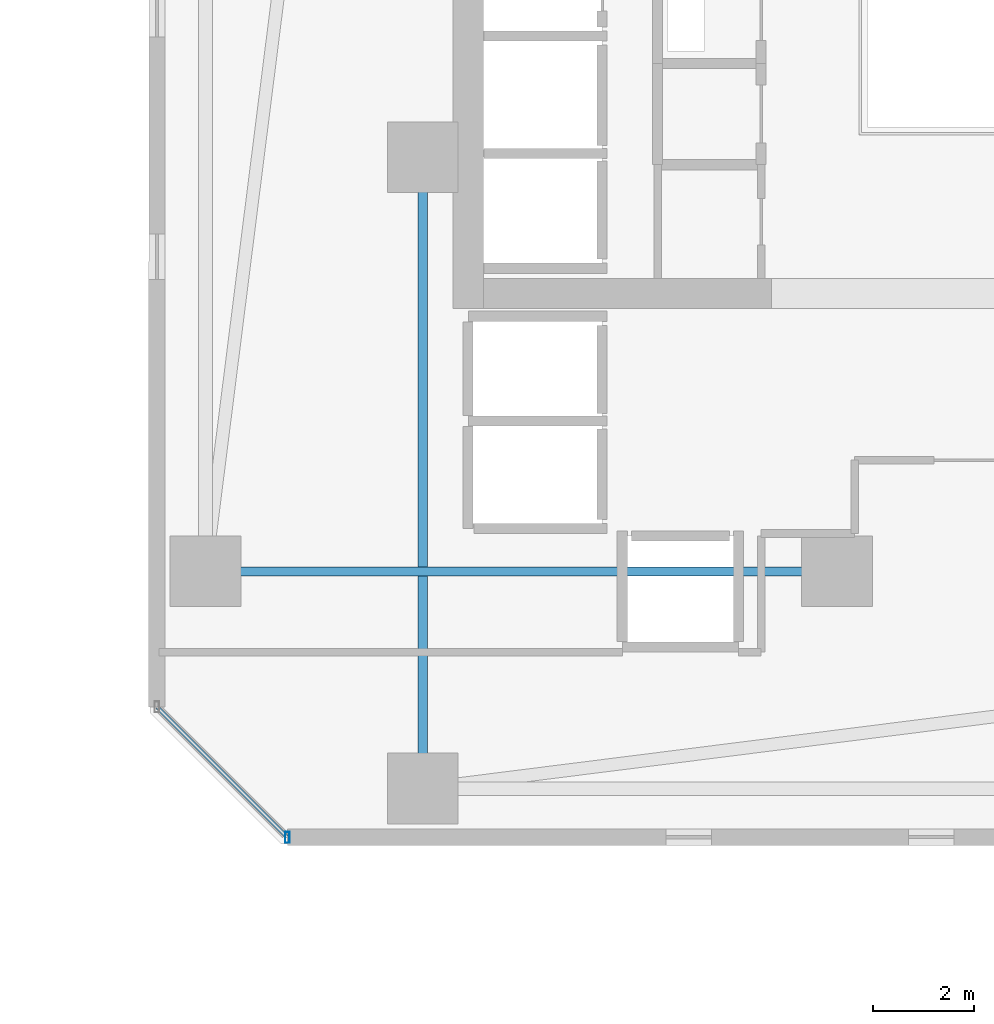
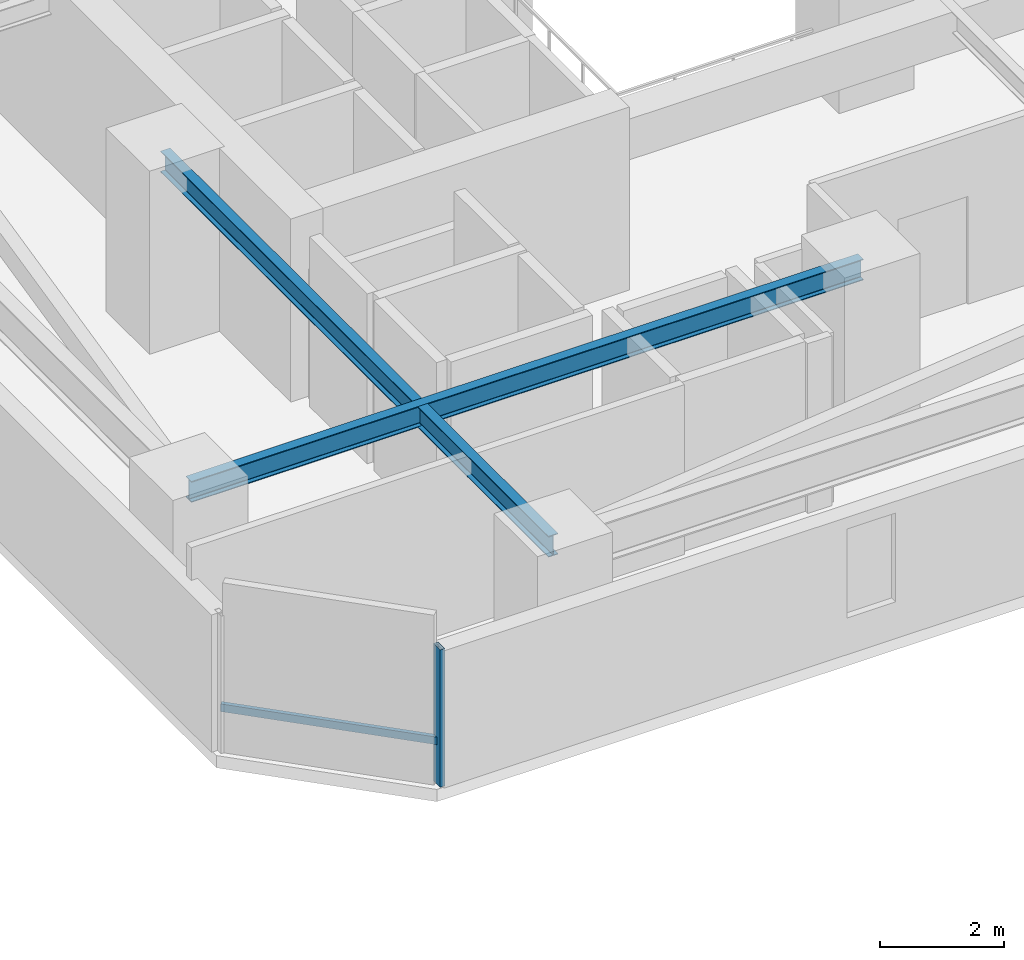
# One storey, part 12 of 34: 2 beams, 2 members, 1 element without a shape of its own.
"""IFC4 building model written with IfcOpenShell, lengths in metres."""

from ifc_helpers import new_model, si_unit, direction, frame, origin, origin_2d, place, context, subcontext, project, spatial, hollow_rectangle, i_section, extrude, material, material_profile, profile_set, type_object, element, aggregate, save


model = new_model("IFC4")

# Units and contexts
model_context = context("Model", 3, precision=1e-05, world=origin(), true_north=direction((0.0, 1.0)))
body_context = subcontext(model_context, "Body", "Model", "MODEL_VIEW")
ifc_project = project(units=[si_unit("LENGTHUNIT", "METRE"), si_unit("AREAUNIT", "SQUARE_METRE"), si_unit("VOLUMEUNIT", "CUBIC_METRE"), si_unit("PLANEANGLEUNIT", "RADIAN"), si_unit("MASSUNIT", "GRAM", prefix="KILO")], contexts=[model_context])

# Site, building, storey
site_placement = place(None, origin())
site = spatial("IfcSite", under=ifc_project, at=site_placement, CompositionType="ELEMENT")
building_placement = place(site_placement, origin())
building = spatial("IfcBuilding", under=site, at=building_placement, Name="Thornwick Lancets Civic Towers", CompositionType="ELEMENT")
storey_placement = place(building_placement, frame((0.0, 0.0, 53.699951171875)))
storey = spatial("IfcBuildingStorey", under=building, at=storey_placement, Name="L13", CompositionType="ELEMENT", Elevation=53.699951171875)

# Beams
ifc_material_1 = material(Name="Steel S355JR", Category="steel")
ifc_material_profile_1 = material_profile(ifc_material_1, i_section(OverallWidth=0.179443359375, OverallDepth=0.412841796875, WebThickness=0.009521484375, FlangeThickness=0.01611328125, FilletRadius=0.01025390625, at=origin_2d()), Name="UKB 406x178x74")
ifc_profile_set_1 = profile_set([ifc_material_profile_1], Name="Steel S355JR")
beam_type = type_object("IfcBeamType", Name="BM_JOIST_406_74", PredefinedType="JOIST", material=ifc_profile_set_1)
for number, where, z_axis, x_axis, name in (
    (1, (83.699951171875, 14.0, 3.153564453125), (-1.0, 0.0, 0.0), (0.0, -1.0, 0.0), "BM-RADIN-L13-B07"),
    (2, (75.5, 22.199951171875, 3.153564453125), (0.0, -1.0, 0.0), (1.0, 0.0, 0.0), "BM-RADIN-L13-B12"),
):
    element("IfcBeam", number, at=place(storey_placement, frame(where, z_axis=z_axis, x_axis=x_axis)), inside=storey, type_object=beam_type, Name=name, PredefinedType="JOIST", context=body_context, shape_type="SweptSolid", body=[
        extrude(i_section(OverallWidth=0.179443359375, OverallDepth=0.412841796875, WebThickness=0.009521484375, FlangeThickness=0.01611328125, FilletRadius=0.01025390625, at=origin_2d()), origin(), (0.0, 0.0, 1.0), 12.5),
    ])

# Curtain wall, members
ifc_material_2 = material(Name="Low-zone chamfered-corner unitised glass curtain wall", Category="glass")
curtain_wall_type = type_object("IfcCurtainWallType", Name="CW_SYS_03", PredefinedType="NOTDEFINED", material=ifc_material_2)
curtain_wall_placement = place(storey_placement, origin())
curtain_wall = element("IfcCurtainWall", 3, at=curtain_wall_placement, inside=storey, type_object=curtain_wall_type, Name="L13 Curtain Wall CW-L13-B-E7", PredefinedType="NOTDEFINED")
ifc_material_3 = material(Name="Thermally broken bronze aluminium S355", Category="steel")
ifc_material_profile_2 = material_profile(ifc_material_3, hollow_rectangle(XDim=0.090087890625, YDim=0.219970703125, WallThickness=0.00634765625, at=origin_2d()), Name="RHS 220x90x6.3")
ifc_profile_set_2 = profile_set([ifc_material_profile_2], Name="Thermally broken bronze aluminium S355")
member_type_1 = type_object("IfcMemberType", Name="CW_MUL_220", PredefinedType="MULLION", material=ifc_profile_set_2)
member_1_placement = place(storey_placement, frame((72.81884765625, 8.735107421875, 0.0), z_axis=(0.0, 0.0, 1.0), x_axis=(1.0, 0.0, 0.0)))
member_1 = element("IfcMember", 4, at=member_1_placement, type_object=member_type_1, Name="CW-L13-B-E7 Mullion 1", PredefinedType="MULLION", context=body_context, shape_type="SweptSolid", body=[
    extrude(hollow_rectangle(XDim=0.090087890625, YDim=0.219970703125, WallThickness=0.00634765625, at=origin_2d()), origin(), (0.0, 0.0, 1.0), 2.699951171875),
])
ifc_material_profile_3 = material_profile(ifc_material_3, hollow_rectangle(XDim=0.074951171875, YDim=0.14990234375, WallThickness=0.0048828125, at=origin_2d()), Name="RHS 150x75x5")
ifc_profile_set_3 = profile_set([ifc_material_profile_3], Name="Thermally broken bronze aluminium S355")
member_type_2 = type_object("IfcMemberType", Name="CW_TRN_150", PredefinedType="USERDEFINED", material=ifc_profile_set_3)
member_2_placement = place(storey_placement, frame((70.249267578125, 11.3046875, 0.85009765625), z_axis=(0.707106781187, -0.707106781187, 0.0), x_axis=(0.707106781187, 0.707106781187, 0.0)))
member_2 = element("IfcMember", 5, at=member_2_placement, type_object=member_type_2, Name="CW-L13-B-E7 Transom 0", ObjectType="TRANSOM", PredefinedType="USERDEFINED", context=body_context, shape_type="SweptSolid", body=[
    extrude(hollow_rectangle(XDim=0.074951171875, YDim=0.14990234375, WallThickness=0.0048828125, at=origin_2d()), origin(), (0.0, 0.0, 1.0), 3.614013671875),
])
aggregate(curtain_wall, [member_1, member_2])

save(model, "model.ifc")
